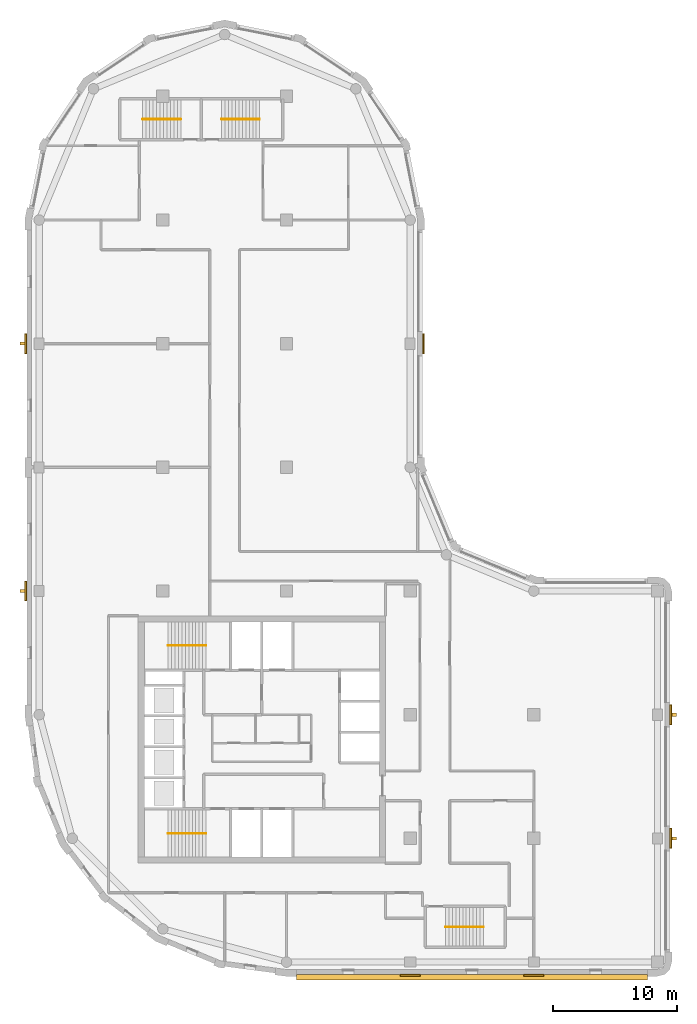
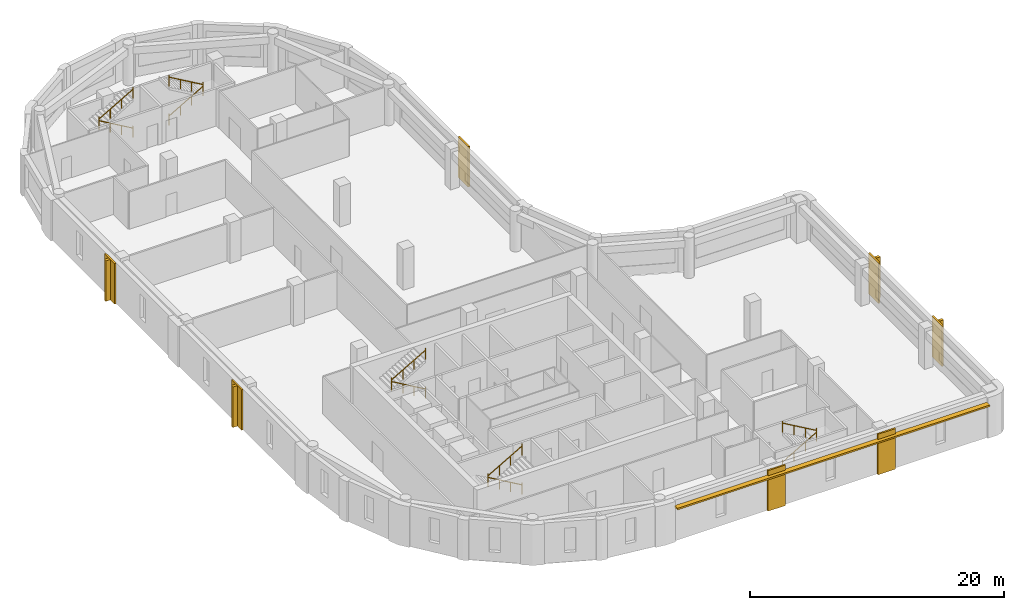
# One storey, part 8 of 9: 10 railings, 7 coverings, 5 shading devices.
"""IFC4 building model written with IfcOpenShell, lengths in metres."""

from ifc_helpers import new_model, si_unit, direction, frame, origin, origin_2d, place, context, subcontext, project, spatial, polyline, rectangle, circle, outline, extrude, material, layer, layer_set, type_object, element, save


model = new_model("IFC4")

# Units and contexts
model_context = context("Model", 3, precision=1e-05, world=origin(), true_north=direction((0.0, 1.0)))
body_context = subcontext(model_context, "Body", "Model", "MODEL_VIEW")
ifc_project = project(units=[si_unit("LENGTHUNIT", "METRE"), si_unit("AREAUNIT", "SQUARE_METRE"), si_unit("VOLUMEUNIT", "CUBIC_METRE"), si_unit("PLANEANGLEUNIT", "RADIAN"), si_unit("MASSUNIT", "GRAM", prefix="KILO")], contexts=[model_context])

# Site, building, storey
site_placement = place(None, origin())
site = spatial("IfcSite", under=ifc_project, at=site_placement, CompositionType="ELEMENT")
building_placement = place(site_placement, origin())
building = spatial("IfcBuilding", under=site, at=building_placement, Name="Qaws Garden Tower", CompositionType="ELEMENT")
storey_placement = place(building_placement, frame((0.0, 0.0, 255.300048828125)))
storey = spatial("IfcBuildingStorey", under=building, at=storey_placement, Name="L61", CompositionType="ELEMENT", Elevation=255.300048828125)

# Coverings
ifc_material_1 = material(Name="Clay facing brick masonry", Category="masonry")
ifc_layer_1 = layer(ifc_material_1, 0.14990234375)
ifc_layer_set_1 = layer_set([ifc_layer_1], Name="Clay facing brick masonry")
covering_type = type_object("IfcCoveringType", Name="Brick pilaster facing 150 x 1600", PredefinedType="CLADDING", material=ifc_layer_set_1)
placement = place(storey_placement, origin())
element("IfcCovering", 1, at=placement, inside=storey, type_object=covering_type, Name="E-L61-pier-01", PredefinedType="CLADDING", context=body_context, shape_type="SweptSolid", body=[
    extrude(outline(polyline([(29.199951171875, -1.0), (30.800048828125, -1.0), (30.800048828125, -1.14990234375), (29.199951171875, -1.14990234375), (29.199951171875, -1.0)])), origin(), (0.0, 0.0, 1.0), 3.89990234375),
])
element("IfcCovering", 2, at=placement, inside=storey, type_object=covering_type, Name="E-L61-pier-02", PredefinedType="CLADDING", context=body_context, shape_type="SweptSolid", body=[
    extrude(outline(polyline([(39.199951171875, -1.0), (40.800048828125, -1.0), (40.800048828125, -1.14990234375), (39.199951171875, -1.14990234375), (39.199951171875, -1.0)])), origin(), (0.0, 0.0, 1.0), 3.89990234375),
])
element("IfcCovering", 3, at=placement, inside=storey, type_object=covering_type, Name="E-L61-pier-04", PredefinedType="CLADDING", context=body_context, shape_type="SweptSolid", body=[
    extrude(outline(polyline([(51.0, 9.199951171875), (51.0, 10.800048828125), (51.14990234375, 10.800048828125), (51.14990234375, 9.199951171875), (51.0, 9.199951171875)])), origin(), (0.0, 0.0, 1.0), 3.89990234375),
])
element("IfcCovering", 4, at=placement, inside=storey, type_object=covering_type, Name="E-L61-pier-05", PredefinedType="CLADDING", context=body_context, shape_type="SweptSolid", body=[
    extrude(outline(polyline([(51.0, 19.199951171875), (51.0, 20.800048828125), (51.14990234375, 20.800048828125), (51.14990234375, 19.199951171875), (51.0, 19.199951171875)])), origin(), (0.0, 0.0, 1.0), 3.89990234375),
])
element("IfcCovering", 5, at=placement, inside=storey, type_object=covering_type, Name="E-L61-pier-10", PredefinedType="CLADDING", context=body_context, shape_type="SweptSolid", body=[
    extrude(outline(polyline([(31.0, 49.199951171875), (31.0, 50.800048828125), (31.14990234375, 50.800048828125), (31.14990234375, 49.199951171875), (31.0, 49.199951171875)])), origin(), (0.0, 0.0, 1.0), 3.89990234375),
])
element("IfcCovering", 6, at=placement, inside=storey, type_object=covering_type, Name="E-L61-pier-20", PredefinedType="CLADDING", context=body_context, shape_type="SweptSolid", body=[
    extrude(outline(polyline([(-1.0, 50.800048828125), (-1.0, 49.199951171875), (-1.14990234375, 49.199951171875), (-1.14990234375, 50.800048828125), (-1.0, 50.800048828125)])), origin(), (0.0, 0.0, 1.0), 3.89990234375),
])
element("IfcCovering", 7, at=placement, inside=storey, type_object=covering_type, Name="E-L61-pier-22", PredefinedType="CLADDING", context=body_context, shape_type="SweptSolid", body=[
    extrude(outline(polyline([(-1.0, 30.800048828125), (-1.0, 29.199951171875), (-1.14990234375, 29.199951171875), (-1.14990234375, 30.800048828125), (-1.0, 30.800048828125)])), origin(), (0.0, 0.0, 1.0), 3.89990234375),
])

# Shading devices
ifc_material_2 = material(Name="Clay facing brick masonry", Category="masonry")
ifc_layer_2 = layer(ifc_material_2, 0.14990234375)
ifc_layer_set_2 = layer_set([ifc_layer_2], Name="Clay facing brick masonry")
shading_device_type_1 = type_object("IfcShadingDeviceType", Name="Brick sunshade band 450 x 150", PredefinedType="JALOUSIE", material=ifc_layer_set_2)
shading_device_placement = place(storey_placement, frame((0.0, 0.0, 3.25)))
element("IfcShadingDevice", 8, at=shading_device_placement, inside=storey, type_object=shading_device_type_1, Name="SUNSHADE 00", PredefinedType="JALOUSIE", context=body_context, shape_type="SweptSolid", body=[
    extrude(outline(polyline([(20.800048828125, -1.0), (20.800048828125, -1.449951171875), (49.199951171875, -1.449951171875), (49.199951171875, -1.0), (40.800048828125, -1.0), (40.800048828125, -1.14990234375), (39.199951171875, -1.14990234375), (39.199951171875, -1.0), (30.800048828125, -1.0), (30.800048828125, -1.14990234375), (29.199951171875, -1.14990234375), (29.199951171875, -1.0), (20.800048828125, -1.0)])), origin(), (0.0, 0.0, 1.0), 0.14990234375),
])
ifc_material_3 = material(Name="Clay facing brick masonry", Category="masonry")
ifc_layer_3 = layer(ifc_material_3, 0.25)
ifc_layer_set_3 = layer_set([ifc_layer_3], Name="Clay facing brick masonry")
shading_device_type_2 = type_object("IfcShadingDeviceType", Name="Brick-faced fin 250 x 400", PredefinedType="USERDEFINED", material=ifc_layer_set_3)
for number, where, z_axis, x_axis, name in (
    (9, (51.35009765625, 10.0, 0.0), (0.0, 0.0, 1.0), (0.0, 1.0, 0.0), "FIN 04"),
    (10, (51.35009765625, 20.0, 0.0), (0.0, 0.0, 1.0), (0.0, 1.0, 0.0), "FIN 05"),
    (11, (-1.35009765625, 50.0, 0.0), (0.0, 0.0, 1.0), (0.0, -1.0, 0.0), "FIN 20"),
    (12, (-1.35009765625, 30.0, 0.0), (0.0, 0.0, 1.0), (0.0, -1.0, 0.0), "FIN 22"),
):
    element("IfcShadingDevice", number, at=place(storey_placement, frame(where, z_axis=z_axis, x_axis=x_axis)), inside=storey, type_object=shading_device_type_2, Name=name, ObjectType="FIN", PredefinedType="USERDEFINED", context=body_context, shape_type="SweptSolid", body=[
        extrude(rectangle(XDim=0.25, YDim=0.39990234375, at=origin_2d()), origin(), (0.0, 0.0, 1.0), 3.89990234375),
    ])

# Railings
ifc_material_4 = material(Name="Steel S355", Category="steel")
railing_type = type_object("IfcRailingType", Name="Stair handrail 900", PredefinedType="HANDRAIL", material=ifc_material_4)
railing_1_placement = place(storey_placement, frame((13.5, 10.39990234375, 0.162353515625)))
element("IfcRailing", 13, at=railing_1_placement, inside=storey, type_object=railing_type, Name="Stair 1 handrail", PredefinedType="HANDRAIL", context=body_context, shape_type="SweptSolid", body=[
    extrude(circle(Radius=0.02392578125, at=origin_2d()), frame((0.0, 0.0, 0.8759765625), z_axis=(-0.864890721111, 0.0, 0.501960198159), x_axis=(0.0, -1.0, 0.0)), (0.0, 0.0, 1.0), 3.561279296875),
    extrude(circle(Radius=0.02099609375, at=origin_2d()), origin(), (0.0, 0.0, 1.0), 1.06201171875),
    extrude(circle(Radius=0.02099609375, at=origin_2d()), frame((-1.026611328125, 0.0, 0.595947265625)), (0.0, 0.0, 1.0), 0.851806640625),
    extrude(circle(Radius=0.02099609375, at=origin_2d()), frame((-2.053466796875, 0.0, 1.191650390625)), (0.0, 0.0, 1.0), 0.851806640625),
    extrude(circle(Radius=0.02099609375, at=origin_2d()), frame((-3.080078125, 0.0, 1.78759765625)), (0.0, 0.0, 1.0), 1.06201171875),
])
railing_2_placement = place(storey_placement, frame((10.419921875, 10.39990234375, 2.112548828125)))
element("IfcRailing", 14, at=railing_2_placement, inside=storey, type_object=railing_type, Name="Stair 1 handrail", PredefinedType="HANDRAIL", context=body_context, shape_type="SweptSolid", body=[
    extrude(circle(Radius=0.02392578125, at=origin_2d()), frame((0.0, 0.0, 0.8759765625), z_axis=(0.864920483161, 0.0, 0.501908913857), x_axis=(0.0, 1.0, 0.0)), (0.0, 0.0, 1.0), 3.56103515625),
    extrude(circle(Radius=0.02099609375, at=origin_2d()), origin(), (0.0, 0.0, 1.0), 1.06201171875),
    extrude(circle(Radius=0.02099609375, at=origin_2d()), frame((1.026611328125, 0.0, 0.595703125)), (0.0, 0.0, 1.0), 0.851806640625),
    extrude(circle(Radius=0.02099609375, at=origin_2d()), frame((2.053466796875, 0.0, 1.191650390625)), (0.0, 0.0, 1.0), 0.851806640625),
    extrude(circle(Radius=0.02099609375, at=origin_2d()), frame((3.080078125, 0.0, 1.787353515625)), (0.0, 0.0, 1.0), 1.06201171875),
])
railing_3_placement = place(storey_placement, frame((13.5, 25.60009765625, 0.162353515625)))
element("IfcRailing", 15, at=railing_3_placement, inside=storey, type_object=railing_type, Name="Stair 4 handrail", PredefinedType="HANDRAIL", context=body_context, shape_type="SweptSolid", body=[
    extrude(circle(Radius=0.02392578125, at=origin_2d()), frame((0.0, 0.0, 0.8759765625), z_axis=(-0.864890721111, 0.0, 0.501960198159), x_axis=(0.0, -1.0, 0.0)), (0.0, 0.0, 1.0), 3.561279296875),
    extrude(circle(Radius=0.02099609375, at=origin_2d()), origin(), (0.0, 0.0, 1.0), 1.06201171875),
    extrude(circle(Radius=0.02099609375, at=origin_2d()), frame((-1.026611328125, 0.0, 0.595947265625)), (0.0, 0.0, 1.0), 0.851806640625),
    extrude(circle(Radius=0.02099609375, at=origin_2d()), frame((-2.053466796875, 0.0, 1.191650390625)), (0.0, 0.0, 1.0), 0.851806640625),
    extrude(circle(Radius=0.02099609375, at=origin_2d()), frame((-3.080078125, 0.0, 1.78759765625)), (0.0, 0.0, 1.0), 1.06201171875),
])
railing_4_placement = place(storey_placement, frame((10.419921875, 25.60009765625, 2.112548828125)))
element("IfcRailing", 16, at=railing_4_placement, inside=storey, type_object=railing_type, Name="Stair 4 handrail", PredefinedType="HANDRAIL", context=body_context, shape_type="SweptSolid", body=[
    extrude(circle(Radius=0.02392578125, at=origin_2d()), frame((0.0, 0.0, 0.8759765625), z_axis=(0.864920483161, 0.0, 0.501908913857), x_axis=(0.0, 1.0, 0.0)), (0.0, 0.0, 1.0), 3.56103515625),
    extrude(circle(Radius=0.02099609375, at=origin_2d()), origin(), (0.0, 0.0, 1.0), 1.06201171875),
    extrude(circle(Radius=0.02099609375, at=origin_2d()), frame((1.026611328125, 0.0, 0.595703125)), (0.0, 0.0, 1.0), 0.851806640625),
    extrude(circle(Radius=0.02099609375, at=origin_2d()), frame((2.053466796875, 0.0, 1.191650390625)), (0.0, 0.0, 1.0), 0.851806640625),
    extrude(circle(Radius=0.02099609375, at=origin_2d()), frame((3.080078125, 0.0, 1.787353515625)), (0.0, 0.0, 1.0), 1.06201171875),
])
railing_5_placement = place(storey_placement, frame((32.85009765625, 2.85009765625, 0.162353515625)))
element("IfcRailing", 17, at=railing_5_placement, inside=storey, type_object=railing_type, Name="Stair 5 handrail", PredefinedType="HANDRAIL", context=body_context, shape_type="SweptSolid", body=[
    extrude(circle(Radius=0.02392578125, at=origin_2d()), frame((0.0, 0.0, 0.8759765625), z_axis=(0.864873446163, 0.0, 0.501989962173), x_axis=(0.0, 1.0, 0.0)), (0.0, 0.0, 1.0), 3.56103515625),
    extrude(circle(Radius=0.02099609375, at=origin_2d()), origin(), (0.0, 0.0, 1.0), 1.06201171875),
    extrude(circle(Radius=0.02099609375, at=origin_2d()), frame((1.026611328125, 0.0, 0.595947265625)), (0.0, 0.0, 1.0), 0.851806640625),
    extrude(circle(Radius=0.02099609375, at=origin_2d()), frame((2.05322265625, 0.0, 1.191650390625)), (0.0, 0.0, 1.0), 0.851806640625),
    extrude(circle(Radius=0.02099609375, at=origin_2d()), frame((3.079833984375, 0.0, 1.78759765625)), (0.0, 0.0, 1.0), 1.06201171875),
])
railing_6_placement = place(storey_placement, frame((35.929931640625, 2.85009765625, 2.112548828125)))
element("IfcRailing", 18, at=railing_6_placement, inside=storey, type_object=railing_type, Name="Stair 5 handrail", PredefinedType="HANDRAIL", context=body_context, shape_type="SweptSolid", body=[
    extrude(circle(Radius=0.02392578125, at=origin_2d()), frame((0.0, 0.0, 0.8759765625), z_axis=(-0.864903211148, 0.0, 0.501938676878), x_axis=(0.0, -1.0, 0.0)), (0.0, 0.0, 1.0), 3.560791015625),
    extrude(circle(Radius=0.02099609375, at=origin_2d()), origin(), (0.0, 0.0, 1.0), 1.06201171875),
    extrude(circle(Radius=0.02099609375, at=origin_2d()), frame((-1.026611328125, 0.0, 0.595703125)), (0.0, 0.0, 1.0), 0.851806640625),
    extrude(circle(Radius=0.02099609375, at=origin_2d()), frame((-2.05322265625, 0.0, 1.191650390625)), (0.0, 0.0, 1.0), 0.851806640625),
    extrude(circle(Radius=0.02099609375, at=origin_2d()), frame((-3.079833984375, 0.0, 1.787353515625)), (0.0, 0.0, 1.0), 1.06201171875),
])
railing_7_placement = place(storey_placement, frame((11.449951171875, 68.14990234375, 0.162353515625)))
element("IfcRailing", 19, at=railing_7_placement, inside=storey, type_object=railing_type, Name="Stair 6 handrail", PredefinedType="HANDRAIL", context=body_context, shape_type="SweptSolid", body=[
    extrude(circle(Radius=0.02392578125, at=origin_2d()), frame((0.0, 0.0, 0.8759765625), z_axis=(-0.864873446163, 0.0, 0.501989962173), x_axis=(0.0, -1.0, 0.0)), (0.0, 0.0, 1.0), 3.56103515625),
    extrude(circle(Radius=0.02099609375, at=origin_2d()), origin(), (0.0, 0.0, 1.0), 1.06201171875),
    extrude(circle(Radius=0.02099609375, at=origin_2d()), frame((-1.026611328125, 0.0, 0.595947265625)), (0.0, 0.0, 1.0), 0.851806640625),
    extrude(circle(Radius=0.02099609375, at=origin_2d()), frame((-2.05322265625, 0.0, 1.191650390625)), (0.0, 0.0, 1.0), 0.851806640625),
    extrude(circle(Radius=0.02099609375, at=origin_2d()), frame((-3.079833984375, 0.0, 1.78759765625)), (0.0, 0.0, 1.0), 1.06201171875),
])
railing_8_placement = place(storey_placement, frame((8.3701171875, 68.14990234375, 2.112548828125)))
element("IfcRailing", 20, at=railing_8_placement, inside=storey, type_object=railing_type, Name="Stair 6 handrail", PredefinedType="HANDRAIL", context=body_context, shape_type="SweptSolid", body=[
    extrude(circle(Radius=0.02392578125, at=origin_2d()), frame((0.0, 0.0, 0.8759765625), z_axis=(0.864903211148, 0.0, 0.501938676878), x_axis=(0.0, 1.0, 0.0)), (0.0, 0.0, 1.0), 3.560791015625),
    extrude(circle(Radius=0.02099609375, at=origin_2d()), origin(), (0.0, 0.0, 1.0), 1.06201171875),
    extrude(circle(Radius=0.02099609375, at=origin_2d()), frame((1.026611328125, 0.0, 0.595703125)), (0.0, 0.0, 1.0), 0.851806640625),
    extrude(circle(Radius=0.02099609375, at=origin_2d()), frame((2.05322265625, 0.0, 1.191650390625)), (0.0, 0.0, 1.0), 0.851806640625),
    extrude(circle(Radius=0.02099609375, at=origin_2d()), frame((3.079833984375, 0.0, 1.787353515625)), (0.0, 0.0, 1.0), 1.06201171875),
])
railing_9_placement = place(storey_placement, frame((14.75, 68.14990234375, 0.162353515625)))
element("IfcRailing", 21, at=railing_9_placement, inside=storey, type_object=railing_type, Name="Stair 7 handrail", PredefinedType="HANDRAIL", context=body_context, shape_type="SweptSolid", body=[
    extrude(circle(Radius=0.02392578125, at=origin_2d()), frame((0.0, 0.0, 0.8759765625), z_axis=(0.864890721111, 0.0, 0.501960198159), x_axis=(0.0, 1.0, 0.0)), (0.0, 0.0, 1.0), 3.561279296875),
    extrude(circle(Radius=0.02099609375, at=origin_2d()), origin(), (0.0, 0.0, 1.0), 1.06201171875),
    extrude(circle(Radius=0.02099609375, at=origin_2d()), frame((1.026611328125, 0.0, 0.595947265625)), (0.0, 0.0, 1.0), 0.851806640625),
    extrude(circle(Radius=0.02099609375, at=origin_2d()), frame((2.053466796875, 0.0, 1.191650390625)), (0.0, 0.0, 1.0), 0.851806640625),
    extrude(circle(Radius=0.02099609375, at=origin_2d()), frame((3.080078125, 0.0, 1.78759765625)), (0.0, 0.0, 1.0), 1.06201171875),
])
railing_10_placement = place(storey_placement, frame((17.830078125, 68.14990234375, 2.112548828125)))
element("IfcRailing", 22, at=railing_10_placement, inside=storey, type_object=railing_type, Name="Stair 7 handrail", PredefinedType="HANDRAIL", context=body_context, shape_type="SweptSolid", body=[
    extrude(circle(Radius=0.02392578125, at=origin_2d()), frame((0.0, 0.0, 0.8759765625), z_axis=(-0.864920483161, 0.0, 0.501908913857), x_axis=(0.0, -1.0, 0.0)), (0.0, 0.0, 1.0), 3.56103515625),
    extrude(circle(Radius=0.02099609375, at=origin_2d()), origin(), (0.0, 0.0, 1.0), 1.06201171875),
    extrude(circle(Radius=0.02099609375, at=origin_2d()), frame((-1.026611328125, 0.0, 0.595703125)), (0.0, 0.0, 1.0), 0.851806640625),
    extrude(circle(Radius=0.02099609375, at=origin_2d()), frame((-2.053466796875, 0.0, 1.191650390625)), (0.0, 0.0, 1.0), 0.851806640625),
    extrude(circle(Radius=0.02099609375, at=origin_2d()), frame((-3.080078125, 0.0, 1.787353515625)), (0.0, 0.0, 1.0), 1.06201171875),
])

save(model, "model.ifc")
